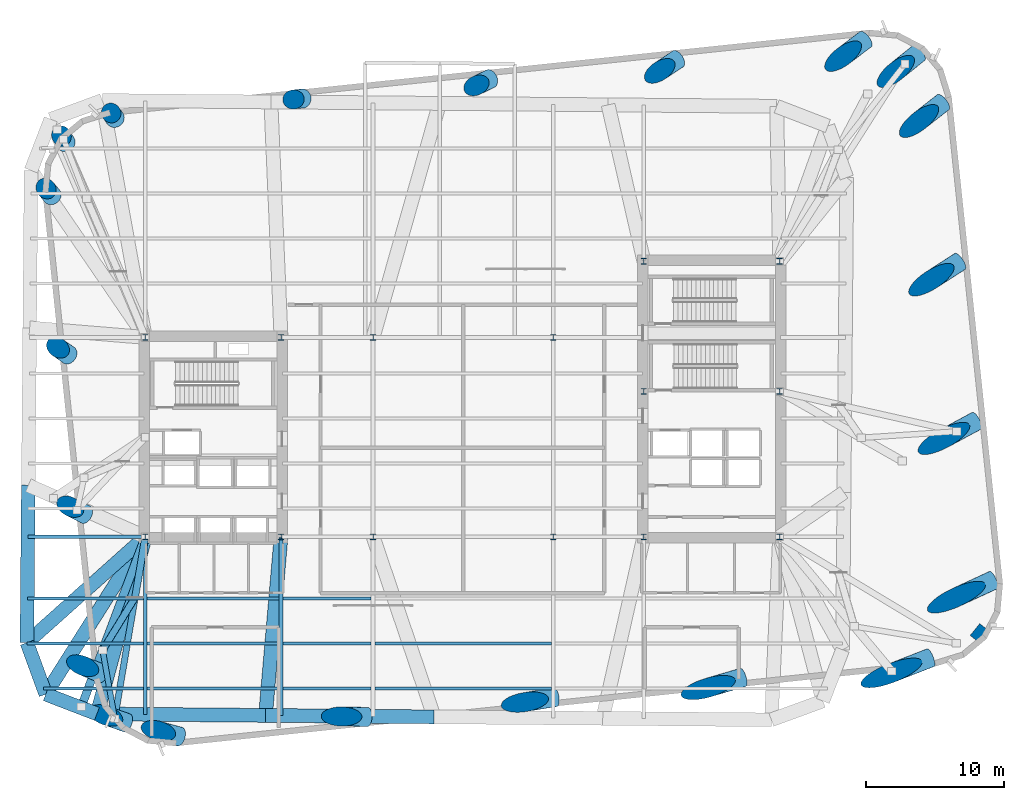
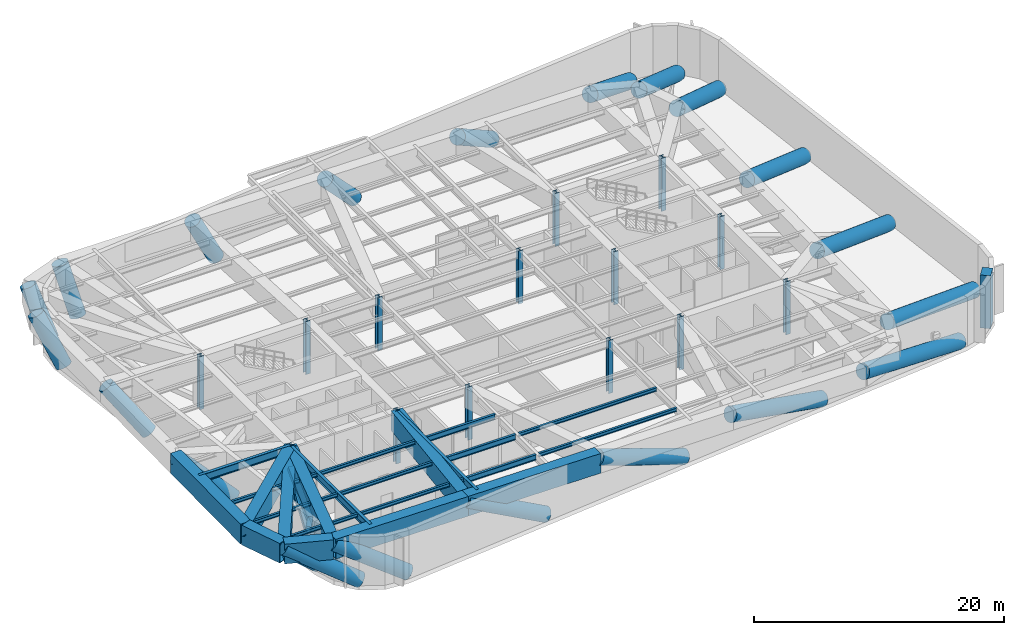
# One storey, part 1 of 15: 36 columns, 23 beams, 5 members.
"""IFC4 building model written with IfcOpenShell, lengths in metres."""

import ifcopenshell
import ifcopenshell.guid

model = None  # the IFC model being written
_history = None  # IfcOwnerHistory: only IFC2X3 demands one
_inside = {}  # id of a spatial element -> (the spatial element, [elements in it])
_under = {}  # id of a project, library or spatial element -> (it, [spatial elements below it])
_declared = {}  # id of a project -> (the project, [libraries it declares])
_typed = {}  # id of a type object -> (the type object, [elements of that type])
_made_of = {}  # id of a material, layer set ... -> (it, [elements and type objects made of it])


def new_model(schema):
    """Start an empty IFC model of exactly this schema.

    Asked for "IFC4X3", IfcOpenShell would pick the latest addendum, in which some entities
    have other attributes; the version numbers below select the first issue.
    IFC2X3 requires an IfcOwnerHistory on every rooted entity: one is made here for all.
    """
    global model, _history
    if schema == "IFC4X3":
        model = ifcopenshell.file(schema_version=(4, 3, 0, 0))
    else:
        model = ifcopenshell.file(schema=schema)
    _inside.clear()
    _under.clear()
    _declared.clear()
    _typed.clear()
    _made_of.clear()
    _history = None
    if model.schema == "IFC2X3":
        org = make("IfcOrganization", Name="unknown")
        user = make(
            "IfcPersonAndOrganization",
            ThePerson=make("IfcPerson", FamilyName="unknown"),
            TheOrganization=org,
        )
        app = make(
            "IfcApplication",
            ApplicationDeveloper=org,
            Version="unknown",
            ApplicationFullName="unknown",
            ApplicationIdentifier="unknown",
        )
        _history = make(
            "IfcOwnerHistory",
            OwningUser=user,
            OwningApplication=app,
            ChangeAction="ADDED",
            CreationDate=0,
        )
    return model


def make(cls, **values):
    """One entity of the class cls with the attributes given. An attribute that is None is left unset."""
    return model.create_entity(
        cls, **{name: value for name, value in values.items() if value is not None}
    )


def rooted(cls, **values):
    """An entity with a GlobalId (a new one), such as an element, a storey or a relation."""
    return make(cls, GlobalId=ifcopenshell.guid.new(), OwnerHistory=_history, **values)


def si_unit(unit_type, name, prefix=None):
    """IfcSIUnit, for example si_unit("LENGTHUNIT", "METRE", prefix="MILLI")."""
    return make("IfcSIUnit", UnitType=unit_type, Prefix=prefix, Name=name)


def assignment(units):
    """IfcUnitAssignment: the units of a project."""
    return None if units is None else make("IfcUnitAssignment", Units=units)


def point(xyz):
    """IfcCartesianPoint."""
    return None if xyz is None else make("IfcCartesianPoint", Coordinates=xyz)


def direction(xyz):
    """IfcDirection."""
    return None if xyz is None else make("IfcDirection", DirectionRatios=xyz)


def frame(location, z_axis=None, x_axis=None):
    """IfcAxis2Placement3D, a coordinate frame: its origin and axes. An axis left out is left unset."""
    return make(
        "IfcAxis2Placement3D",
        Location=point(location),
        Axis=direction(z_axis),
        RefDirection=direction(x_axis),
    )


def frame_2d(location, x_axis=None):
    """IfcAxis2Placement2D, a coordinate frame in the plane: its origin and x axis."""
    return make(
        "IfcAxis2Placement2D", Location=point(location), RefDirection=direction(x_axis)
    )


def origin():
    """The frame at (0, 0, 0) with its axes left unset."""
    return frame((0.0, 0.0, 0.0))


def origin_2d():
    """The frame at (0, 0) in the plane with its x axis left unset."""
    return frame_2d((0.0, 0.0))


def place(relative_to, where):
    """IfcLocalPlacement: puts the frame where relative to a parent placement (None: the world)."""
    return make(
        "IfcLocalPlacement", PlacementRelTo=relative_to, RelativePlacement=where
    )


def context(
    kind, dimensions, precision=None, world=None, true_north=None, identifier=None
):
    """IfcGeometricRepresentationContext, for example the 3D "Model" context."""
    return make(
        "IfcGeometricRepresentationContext",
        ContextIdentifier=identifier,
        ContextType=kind,
        CoordinateSpaceDimension=dimensions,
        Precision=precision,
        WorldCoordinateSystem=world,
        TrueNorth=true_north,
    )


def subcontext(parent, identifier, kind, view, scale=None):
    """IfcGeometricRepresentationSubContext, for example "Body" below "Model"."""
    return make(
        "IfcGeometricRepresentationSubContext",
        ContextIdentifier=identifier,
        ContextType=kind,
        ParentContext=parent,
        TargetScale=scale,
        TargetView=view,
    )


def project(units=None, contexts=None):
    """IfcProject with its units and contexts."""
    return rooted(
        "IfcProject",
        Name="project",
        RepresentationContexts=contexts,
        UnitsInContext=assignment(units),
    )


def spatial(cls, under=None, at=None, **own):
    """A site, building, storey or space (cls), placed at a placement, below another one or the project."""
    s = rooted(cls, ObjectPlacement=at, **own)
    if under is not None:
        _under.setdefault(under.id(), (under, []))[1].append(s)
    return s


def profile(cls, at=None, kind="AREA", **sizes):
    """A parametric profile (cls). Its sizes go by their IFC names, for example OverallWidth=200.0."""
    return make(cls, ProfileType=kind, Position=at, **sizes)


def rectangle(**sizes):
    """IfcRectangleProfileDef."""
    return profile("IfcRectangleProfileDef", **sizes)


def hollow_rectangle(**sizes):
    """IfcRectangleHollowProfileDef."""
    return profile("IfcRectangleHollowProfileDef", **sizes)


def circle(**sizes):
    """IfcCircleProfileDef."""
    return profile("IfcCircleProfileDef", **sizes)


def hollow_circle(**sizes):
    """IfcCircleHollowProfileDef."""
    return profile("IfcCircleHollowProfileDef", **sizes)


def i_section(**sizes):
    """IfcIShapeProfileDef."""
    return profile("IfcIShapeProfileDef", **sizes)


def extrude(swept, where, along, depth):
    """IfcExtrudedAreaSolid: the profile swept, set in the frame where, extruded along a direction by depth."""
    return make(
        "IfcExtrudedAreaSolid",
        SweptArea=swept,
        Position=where,
        ExtrudedDirection=direction(along),
        Depth=depth,
    )


def shape(context_of_items, identifier, shape_type, items):
    """IfcShapeRepresentation: the items that make up one representation, for example the "Body"."""
    return make(
        "IfcShapeRepresentation",
        ContextOfItems=context_of_items,
        RepresentationIdentifier=identifier,
        RepresentationType=shape_type,
        Items=items,
    )


def material(Name=None, Category=None):
    """IfcMaterial."""
    return make("IfcMaterial", Name=Name, Category=Category)


def material_profile(
    of_material, cross_section, Name=None, Category=None, Priority=None
):
    """IfcMaterialProfile: a cross section and its material."""
    return make(
        "IfcMaterialProfile",
        Name=Name,
        Material=of_material,
        Profile=cross_section,
        Priority=Priority,
        Category=Category,
    )


def profile_set(profiles, Name=None, composite=None):
    """IfcMaterialProfileSet."""
    return make(
        "IfcMaterialProfileSet",
        Name=Name,
        MaterialProfiles=profiles,
        CompositeProfile=composite,
    )


def made_of(thing, what):
    """Note that an element or type object is made of a material, layer set ...; save() writes the relation."""
    if what is not None:
        _made_of.setdefault(what.id(), (what, []))[1].append(thing)
    return thing


def type_object(cls, material=None, **own):
    """A type object (cls), such as IfcWallType, which elements share."""
    return made_of(rooted(cls, **own), material)


def element(
    cls,
    number,
    at=None,
    inside=None,
    cuts=None,
    type_object=None,
    material=None,
    context=None,
    identifier="Body",
    shape_type=None,
    held_by="IfcProductDefinitionShape",
    body=None,
    shapes=None,
    **own,
):
    """One element of the class cls, such as IfcWall. Its Tag is "e" and its number.

    at: its placement. inside: the storey or other place that contains it. cuts: it is an
    opening in that element (IfcRelVoidsElement). A single representation is given by context,
    identifier, shape_type and body (its items); several are given by shapes. held_by: the class
    of the entity that holds the representations. save() writes the other relations.
    """
    e = rooted(cls, Tag="e%d" % number, ObjectPlacement=at, **own)
    if body is not None:
        shapes = [shape(context, identifier, shape_type, body)]
    if shapes is not None:
        e.Representation = make(held_by, Representations=shapes)
    if inside is not None:
        _inside.setdefault(inside.id(), (inside, []))[1].append(e)
    if cuts is not None:
        rooted(
            "IfcRelVoidsElement", RelatingBuildingElement=cuts, RelatedOpeningElement=e
        )
    if type_object is not None:
        _typed.setdefault(type_object.id(), (type_object, []))[1].append(e)
    return made_of(e, material)


def aggregate(whole, parts):
    """IfcRelAggregates: a whole, such as a stair, and the parts it consists of."""
    return rooted("IfcRelAggregates", RelatingObject=whole, RelatedObjects=parts)


def save(model, path):
    """Write the relations noted so far, then the file.

    IfcRelAggregates (storeys below a building ...), IfcRelContainedInSpatialStructure (elements
    in a storey), IfcRelDefinesByType, IfcRelAssociatesMaterial and IfcRelDeclares: one each for
    every whole, place, type object, material and project.
    """
    for whole, parts in _under.values():
        aggregate(whole, parts)
    for where, things in _inside.values():
        rooted(
            "IfcRelContainedInSpatialStructure",
            RelatedElements=things,
            RelatingStructure=where,
        )
    for kind, things in _typed.values():
        rooted("IfcRelDefinesByType", RelatedObjects=things, RelatingType=kind)
    for what, things in _made_of.values():
        rooted("IfcRelAssociatesMaterial", RelatedObjects=things, RelatingMaterial=what)
    for by, libraries in _declared.values():
        rooted("IfcRelDeclares", RelatingContext=by, RelatedDefinitions=libraries)
    model.write(path)


model = new_model("IFC4")

# Units and contexts
model_context = context("Model", 3, precision=1e-05, world=origin(), true_north=direction((0.0, 1.0)))
body_context = subcontext(model_context, "Body", "Model", "MODEL_VIEW")
ifc_project = project(units=[si_unit("LENGTHUNIT", "METRE"), si_unit("AREAUNIT", "SQUARE_METRE"), si_unit("VOLUMEUNIT", "CUBIC_METRE"), si_unit("PLANEANGLEUNIT", "RADIAN"), si_unit("MASSUNIT", "GRAM", prefix="KILO")], contexts=[model_context])

# Site, building, storey
site_placement = place(None, origin())
site = spatial("IfcSite", under=ifc_project, at=site_placement, CompositionType="ELEMENT")
building_placement = place(site_placement, origin())
building = spatial("IfcBuilding", under=site, at=building_placement, Name="Kolvaren Arena Tower", CompositionType="ELEMENT")
storey_placement = place(building_placement, frame((0.0, 0.0, 153.25)))
storey = spatial("IfcBuildingStorey", under=building, at=storey_placement, Name="L36", CompositionType="ELEMENT", Elevation=153.25)

# Columns
ifc_material_1 = material(Name="Precast concrete C70/85", Category="concrete")
ifc_material_profile_1 = material_profile(ifc_material_1, rectangle(XDim=1.10009765625, YDim=0.85009765625, at=origin_2d()), Name="RC-1100x850")
ifc_profile_set_1 = profile_set([ifc_material_profile_1], Name="Precast concrete C70/85")
column_type_1 = type_object("IfcColumnType", Name="EXCOL-Z2", PredefinedType="COLUMN", material=ifc_profile_set_1)
column_1_placement = place(storey_placement, frame((74.790283203125, 12.49267578125, -0.419921875), z_axis=(0.0, 0.0, 1.0), x_axis=(0.62932039105, 0.777145961457, 0.0)))
element("IfcColumn", 1, at=column_1_placement, inside=storey, type_object=column_type_1, Name="Exoskeleton Perimeter Column 06 (L36)", PredefinedType="COLUMN", context=body_context, shape_type="SweptSolid", body=[
    extrude(rectangle(XDim=1.10009765625, YDim=0.85009765625, at=origin_2d()), origin(), (0.0, 0.0, 1.0), 5.169921875),
])
ifc_material_2 = material(Name="Steel ASTM A913 Grade 65", Category="steel")
ifc_material_profile_2 = material_profile(ifc_material_2, i_section(OverallWidth=0.416015625, OverallDepth=0.446044921875, WebThickness=0.0390625, FlangeThickness=0.062744140625, FilletRadius=0.02001953125, at=origin_2d()), Name="W360x509")
ifc_profile_set_2 = profile_set([ifc_material_profile_2], Name="Steel ASTM A913 Grade 65")
column_type_2 = type_object("IfcColumnType", Name="SCOL-Z2", PredefinedType="COLUMN", material=ifc_profile_set_2)
for number, where, z_axis, x_axis, name in (
    (2, (14.550048828125, 19.449951171875, -0.419921875), (0.0, 0.0, 1.0), (1.0, 0.0, 0.0), "Core Boundary Column WC-SW (L36)"),
    (3, (24.35009765625, 19.449951171875, -0.419921875), (0.0, 0.0, 1.0), (1.0, 0.0, 0.0), "Core Boundary Column WC-SE (L36)"),
    (4, (14.550048828125, 33.85009765625, -0.419921875), (0.0, 0.0, 1.0), (1.0, 0.0, 0.0), "Core Boundary Column WC-NW (L36)"),
    (5, (24.35009765625, 33.85009765625, -0.419921875), (0.0, 0.0, 1.0), (1.0, 0.0, 0.0), "Core Boundary Column WC-NE (L36)"),
    (6, (50.550048828125, 19.449951171875, -0.419921875), (0.0, 0.0, 1.0), (1.0, 0.0, 0.0), "Core Boundary Column EC-SW (L36)"),
    (7, (60.35009765625, 19.449951171875, -0.419921875), (0.0, 0.0, 1.0), (1.0, 0.0, 0.0), "Core Boundary Column EC-SE (L36)"),
    (8, (50.550048828125, 29.949951171875, -0.419921875), (0.0, 0.0, 1.0), (1.0, 0.0, 0.0), "Core Boundary Column EC-MW (L36)"),
    (9, (60.35009765625, 29.949951171875, -0.419921875), (0.0, 0.0, 1.0), (1.0, 0.0, 0.0), "Core Boundary Column EC-ME (L36)"),
    (10, (50.550048828125, 39.35009765625, -0.419921875), (0.0, 0.0, 1.0), (1.0, 0.0, 0.0), "Core Boundary Column EC-NW (L36)"),
    (11, (60.35009765625, 39.35009765625, -0.419921875), (0.0, 0.0, 1.0), (1.0, 0.0, 0.0), "Core Boundary Column EC-NE (L36)"),
    (12, (31.0, 19.449951171875, -0.419921875), (0.0, 0.0, 1.0), (1.0, 0.0, 0.0), "Interior Gravity Column TC-SW (L36)"),
    (13, (44.0, 19.449951171875, -0.419921875), (0.0, 0.0, 1.0), (1.0, 0.0, 0.0), "Interior Gravity Column TC-SE (L36)"),
    (14, (31.0, 33.85009765625, -0.419921875), (0.0, 0.0, 1.0), (1.0, 0.0, 0.0), "Interior Gravity Column TC-NW (L36)"),
    (15, (44.0, 33.85009765625, -0.419921875), (0.0, 0.0, 1.0), (1.0, 0.0, 0.0), "Interior Gravity Column TC-NE (L36)"),
):
    element("IfcColumn", number, at=place(storey_placement, frame(where, z_axis=z_axis, x_axis=x_axis)), inside=storey, type_object=column_type_2, Name=name, PredefinedType="COLUMN", context=body_context, shape_type="SweptSolid", body=[
        extrude(i_section(OverallWidth=0.416015625, OverallDepth=0.446044921875, WebThickness=0.0390625, FlangeThickness=0.062744140625, FilletRadius=0.02001953125, at=origin_2d()), origin(), (0.0, 0.0, 1.0), 5.169921875),
    ])
ifc_material_3 = material(Name="Concrete 80 MPa", Category="concrete")
ifc_material_profile_3 = material_profile(ifc_material_3, circle(Radius=0.68994140625, at=origin_2d()), Name="RC-CIRC-1380")
ifc_profile_set_3 = profile_set([ifc_material_profile_3], Name="Concrete 80 MPa")
column_type_3 = type_object("IfcColumnType", Name="TRCOL-C900", PredefinedType="COLUMN", material=ifc_profile_set_3)
column_2_placement = place(storey_placement, frame((17.0458984375, 5.024658203125, 0.172119140625), z_axis=(-0.811678599728, 0.2221129632, 0.540225584661), x_axis=(-0.263942507996, -0.964538414203, 0.0)))
element("IfcColumn", 16, at=column_2_placement, inside=storey, type_object=column_type_3, Name="Cantilever Block Inclined Transfer Column 01 (L36)", PredefinedType="COLUMN", context=body_context, shape_type="SweptSolid", body=[
    extrude(circle(Radius=0.68994140625, at=origin_2d()), origin(), (0.0, 0.0, 1.0), 7.377685546875),
])
column_3_placement = place(storey_placement, frame((30.59619140625, 6.44873046875, 0.206787109375), z_axis=(-0.882823914415, 0.012995186752, 0.469524292512), x_axis=(-0.014718426717, -0.999891678091, 0.0)))
element("IfcColumn", 17, at=column_3_placement, inside=storey, type_object=column_type_3, Name="Cantilever Block Inclined Transfer Column 02 (L36)", PredefinedType="COLUMN", context=body_context, shape_type="SweptSolid", body=[
    extrude(circle(Radius=0.68994140625, at=origin_2d()), origin(), (0.0, 0.0, 1.0), 8.34130859375),
])
column_4_placement = place(storey_placement, frame((44.146728515625, 7.873046875, 0.23779296875), z_axis=(-0.90500253685, -0.147281901162, 0.399097043193), x_axis=(0.160628754411, -0.987014895154, 0.0)))
element("IfcColumn", 18, at=column_4_placement, inside=storey, type_object=column_type_3, Name="Cantilever Block Inclined Transfer Column 03 (L36)", PredefinedType="COLUMN", context=body_context, shape_type="SweptSolid", body=[
    extrude(circle(Radius=0.68994140625, at=origin_2d()), origin(), (0.0, 0.0, 1.0), 9.657470703125),
])
column_5_placement = place(storey_placement, frame((57.697021484375, 9.297119140625, 0.261474609375), z_axis=(-0.902829229736, -0.263523113975, 0.339786624716), x_axis=(0.280193938349, -0.959943413391, 0.0)))
element("IfcColumn", 19, at=column_5_placement, inside=storey, type_object=column_type_3, Name="Cantilever Block Inclined Transfer Column 04 (L36)", PredefinedType="COLUMN", context=body_context, shape_type="SweptSolid", body=[
    extrude(circle(Radius=0.68994140625, at=origin_2d()), origin(), (0.0, 0.0, 1.0), 11.20458984375),
])
column_6_placement = place(storey_placement, frame((71.247314453125, 10.721435546875, 0.2783203125), z_axis=(-0.890866147658, -0.347553061876, 0.292513890502), x_axis=(0.363449897409, -0.931613746181, 0.0)))
element("IfcColumn", 20, at=column_6_placement, inside=storey, type_object=column_type_3, Name="Cantilever Block Inclined Transfer Column 05 (L36)", PredefinedType="COLUMN", context=body_context, shape_type="SweptSolid", body=[
    extrude(circle(Radius=0.68994140625, at=origin_2d()), origin(), (0.0, 0.0, 1.0), 12.899169921875),
])
column_7_placement = place(storey_placement, frame((75.786376953125, 16.326416015625, 0.275634765625), z_axis=(-0.865739794199, -0.400232341727, 0.300514028585), x_axis=(0.419628672219, -0.907695861757, 0.0)))
element("IfcColumn", 21, at=column_7_placement, inside=storey, type_object=column_type_3, Name="Cantilever Block Inclined Transfer Column 07 (L36)", PredefinedType="COLUMN", context=body_context, shape_type="SweptSolid", body=[
    extrude(circle(Radius=0.68994140625, at=origin_2d()), origin(), (0.0, 0.0, 1.0), 12.574462890625),
])
column_8_placement = place(storey_placement, frame((74.577392578125, 27.829833984375, 0.265380859375), z_axis=(-0.830830620605, -0.448452009123, 0.32956224811), x_axis=(0.474987746335, -0.879992409531, 0.0)))
element("IfcColumn", 22, at=column_8_placement, inside=storey, type_object=column_type_3, Name="Cantilever Block Inclined Transfer Column 08 (L36)", PredefinedType="COLUMN", context=body_context, shape_type="SweptSolid", body=[
    extrude(circle(Radius=0.68994140625, at=origin_2d()), origin(), (0.0, 0.0, 1.0), 11.5283203125),
])
column_9_placement = place(storey_placement, frame((73.368408203125, 39.3330078125, 0.252685546875), z_axis=(-0.784303498232, -0.503288809738, 0.362723581606), x_axis=(0.540069267385, -0.841620571532, 0.0)))
element("IfcColumn", 23, at=column_9_placement, inside=storey, type_object=column_type_3, Name="Cantilever Block Inclined Transfer Column 09 (L36)", PredefinedType="COLUMN", context=body_context, shape_type="SweptSolid", body=[
    extrude(circle(Radius=0.68994140625, at=origin_2d()), origin(), (0.0, 0.0, 1.0), 10.54443359375),
])
column_10_placement = place(storey_placement, frame((72.1591796875, 50.83642578125, 0.237548828125), z_axis=(-0.722027044307, -0.564651787227, 0.399806586328), x_axis=(0.616028887624, -0.787723561672, 0.0)))
element("IfcColumn", 24, at=column_10_placement, inside=storey, type_object=column_type_3, Name="Cantilever Block Inclined Transfer Column 10 (L36)", PredefinedType="COLUMN", context=body_context, shape_type="SweptSolid", body=[
    extrude(circle(Radius=0.68994140625, at=origin_2d()), origin(), (0.0, 0.0, 1.0), 9.6416015625),
])
column_11_placement = place(storey_placement, frame((70.387939453125, 54.37939453125, 0.229736328125), z_axis=(-0.70782602546, -0.569189755646, 0.418336395439), x_axis=(0.626659324453, -0.779293328007, 0.0)))
element("IfcColumn", 25, at=column_11_placement, inside=storey, type_object=column_type_3, Name="Cantilever Block Inclined Transfer Column 11 (L36)", PredefinedType="COLUMN", context=body_context, shape_type="SweptSolid", body=[
    extrude(circle(Radius=0.68994140625, at=origin_2d()), origin(), (0.0, 0.0, 1.0), 9.25244140625),
])
column_12_placement = place(storey_placement, frame((66.55419921875, 55.37548828125, 0.22216796875), z_axis=(-0.718551511617, -0.54227205423, 0.435459233861), x_axis=(0.602384984829, -0.798205694074, 0.0)))
element("IfcColumn", 26, at=column_12_placement, inside=storey, type_object=column_type_3, Name="Cantilever Block Inclined Transfer Column 12 (L36)", PredefinedType="COLUMN", context=body_context, shape_type="SweptSolid", body=[
    extrude(circle(Radius=0.68994140625, at=origin_2d()), origin(), (0.0, 0.0, 1.0), 8.92333984375),
])
column_13_placement = place(storey_placement, frame((53.003662109375, 53.951171875, 0.165771484375), z_axis=(-0.696388681651, -0.457495662242, 0.552938082517), x_axis=(0.549067922576, -0.835777731456, 0.0)))
element("IfcColumn", 27, at=column_13_placement, inside=storey, type_object=column_type_3, Name="Cantilever Block Inclined Transfer Column 13 (L36)", PredefinedType="COLUMN", context=body_context, shape_type="SweptSolid", body=[
    extrude(circle(Radius=0.68994140625, at=origin_2d()), origin(), (0.0, 0.0, 1.0), 7.2314453125),
])
column_14_placement = place(storey_placement, frame((39.453369140625, 52.527099609375, 0.068603515625), z_axis=(-0.626464066324, -0.30428970991, 0.717600547691), x_axis=(0.436912284896, -0.899504116337, 0.0)))
element("IfcColumn", 28, at=column_14_placement, inside=storey, type_object=column_type_3, Name="Cantilever Block Inclined Transfer Column 14 (L36)", PredefinedType="COLUMN", context=body_context, shape_type="SweptSolid", body=[
    extrude(circle(Radius=0.68994140625, at=origin_2d()), origin(), (0.0, 0.0, 1.0), 5.842529296875),
])
column_15_placement = place(storey_placement, frame((25.903076171875, 51.102783203125, -0.077880859375), z_axis=(-0.45323157706, -0.04907263655, 0.890041018098), x_axis=(0.107643651715, -0.994189541408, 0.0)))
element("IfcColumn", 29, at=column_15_placement, inside=storey, type_object=column_type_3, Name="Cantilever Block Inclined Transfer Column 15 (L36)", PredefinedType="COLUMN", context=body_context, shape_type="SweptSolid", body=[
    extrude(circle(Radius=0.68994140625, at=origin_2d()), origin(), (0.0, 0.0, 1.0), 5.039794921875),
])
column_16_placement = place(storey_placement, frame((12.3525390625, 49.6787109375, -0.1572265625), z_axis=(-0.185270391626, 0.261648994354, 0.947214170998), x_axis=(-0.816119088508, -0.577883754204, 0.0)))
element("IfcColumn", 30, at=column_16_placement, inside=storey, type_object=column_type_3, Name="Cantilever Block Inclined Transfer Column 16 (L36)", PredefinedType="COLUMN", context=body_context, shape_type="SweptSolid", body=[
    extrude(circle(Radius=0.68994140625, at=origin_2d()), origin(), (0.0, 0.0, 1.0), 4.9033203125),
])
column_17_placement = place(storey_placement, frame((8.8095703125, 47.9072265625, -0.107666015625), z_axis=(-0.218493056896, 0.341073113091, 0.914292029723), x_axis=(-0.842040119954, -0.539414901897, 0.0)))
element("IfcColumn", 31, at=column_17_placement, inside=storey, type_object=column_type_3, Name="Cantilever Block Inclined Transfer Column 17 (L36)", PredefinedType="COLUMN", context=body_context, shape_type="SweptSolid", body=[
    extrude(circle(Radius=0.68994140625, at=origin_2d()), origin(), (0.0, 0.0, 1.0), 4.97119140625),
])
column_18_placement = place(storey_placement, frame((7.813720703125, 44.073486328125, -0.06982421875), z_axis=(-0.299042142096, 0.362023764024, 0.882900102805), x_axis=(-0.77098367631, -0.636854905661, 0.0)))
element("IfcColumn", 32, at=column_18_placement, inside=storey, type_object=column_type_3, Name="Cantilever Block Inclined Transfer Column 18 (L36)", PredefinedType="COLUMN", context=body_context, shape_type="SweptSolid", body=[
    extrude(circle(Radius=0.68994140625, at=origin_2d()), origin(), (0.0, 0.0, 1.0), 5.0625),
])
column_19_placement = place(storey_placement, frame((9.022705078125, 32.5703125, 0.0244140625), z_axis=(-0.513751396896, 0.35859038586, 0.779405181761), x_axis=(-0.572352471816, -0.820007712162, 0.0)))
element("IfcColumn", 33, at=column_19_placement, inside=storey, type_object=column_type_3, Name="Cantilever Block Inclined Transfer Column 19 (L36)", PredefinedType="COLUMN", context=body_context, shape_type="SweptSolid", body=[
    extrude(circle(Radius=0.68994140625, at=origin_2d()), origin(), (0.0, 0.0, 1.0), 5.492919921875),
])
column_20_placement = place(storey_placement, frame((10.231689453125, 21.06689453125, 0.102783203125), z_axis=(-0.665554906468, 0.339524670025, 0.664650031912), x_axis=(-0.454423444628, -0.890785795224, 0.0)))
element("IfcColumn", 34, at=column_20_placement, inside=storey, type_object=column_type_3, Name="Cantilever Block Inclined Transfer Column 20 (L36)", PredefinedType="COLUMN", context=body_context, shape_type="SweptSolid", body=[
    extrude(circle(Radius=0.68994140625, at=origin_2d()), origin(), (0.0, 0.0, 1.0), 6.20556640625),
])
column_21_placement = place(storey_placement, frame((11.44091796875, 9.5634765625, 0.160400390625), z_axis=(-0.763897252344, 0.315201487792, 0.563124329039), x_axis=(-0.381427997063, -0.924398552063, 0.0)))
element("IfcColumn", 35, at=column_21_placement, inside=storey, type_object=column_type_3, Name="Cantilever Block Inclined Transfer Column 21 (L36)", PredefinedType="COLUMN", context=body_context, shape_type="SweptSolid", body=[
    extrude(circle(Radius=0.68994140625, at=origin_2d()), origin(), (0.0, 0.0, 1.0), 7.11962890625),
])
column_22_placement = place(storey_placement, frame((13.212158203125, 6.0205078125, 0.172119140625), z_axis=(-0.793355795924, 0.28018707572, 0.540445911886), x_axis=(-0.333009447502, -0.942923489937, 0.0)))
element("IfcColumn", 36, at=column_22_placement, inside=storey, type_object=column_type_3, Name="Cantilever Block Inclined Transfer Column 22 (L36)", PredefinedType="COLUMN", context=body_context, shape_type="SweptSolid", body=[
    extrude(circle(Radius=0.68994140625, at=origin_2d()), origin(), (0.0, 0.0, 1.0), 7.375),
])

# Beams
ifc_material_4 = material(Name="Steel CSA G40.21 350W", Category="steel")
ifc_material_profile_4 = material_profile(ifc_material_4, i_section(OverallWidth=0.2119140625, OverallDepth=0.54296875, WebThickness=0.01318359375, FlangeThickness=0.0244140625, FilletRadius=0.013916015625, at=origin_2d()), Name="W530x150")
ifc_profile_set_4 = profile_set([ifc_material_profile_4], Name="Steel CSA G40.21 350W")
beam_type_1 = type_object("IfcBeamType", Name="BEAM-F1", PredefinedType="BEAM", material=ifc_profile_set_4)
for number, where, z_axis, x_axis, name in (
    (37, (24.485107421875, 8.5, 4.478515625), (1.0, 0.0, 0.0), (0.0, 1.0, 0.0), "Composite Floor Beam (L36)"),
    (38, (24.485107421875, 11.75, 4.478515625), (1.0, 0.0, 0.0), (0.0, 1.0, 0.0), "Composite Floor Beam (L36)"),
    (39, (24.485107421875, 15.0, 4.478515625), (1.0, 0.0, 0.0), (0.0, 1.0, 0.0), "Composite Floor Beam (L36)"),
):
    element("IfcBeam", number, at=place(storey_placement, frame(where, z_axis=z_axis, x_axis=x_axis)), inside=storey, type_object=beam_type_1, Name=name, PredefinedType="BEAM", context=body_context, shape_type="SweptSolid", body=[
        extrude(i_section(OverallWidth=0.2119140625, OverallDepth=0.54296875, WebThickness=0.01318359375, FlangeThickness=0.0244140625, FilletRadius=0.013916015625, at=origin_2d()), origin(), (0.0, 0.0, 1.0), 6.3798828125),
    ])

# Members
ifc_material_5 = material(Name="Steel CSA G40.21 350WT", Category="steel")
ifc_material_profile_5 = material_profile(ifc_material_5, hollow_rectangle(XDim=0.449951171875, YDim=0.449951171875, WallThickness=0.02001953125, at=origin_2d()), Name="HSS 450x450x20")
ifc_profile_set_5 = profile_set([ifc_material_profile_5], Name="Steel CSA G40.21 350WT")
member_type_1 = type_object("IfcMemberType", Name="BELT-CHORD", PredefinedType="CHORD", material=ifc_profile_set_5)
member_1_placement = place(storey_placement, frame((14.550048828125, 19.449951171875, 0.35009765625), z_axis=(-0.166029237433, -0.986120830486, 0.0), x_axis=(0.986120830486, -0.166029237433, 0.0)))
element("IfcMember", 40, at=member_1_placement, inside=storey, type_object=member_type_1, Name="Belt Truss Bottom Chord 1 (L36)", PredefinedType="CHORD", context=body_context, shape_type="SweptSolid", body=[
    extrude(hollow_rectangle(XDim=0.449951171875, YDim=0.449951171875, WallThickness=0.02001953125, at=origin_2d()), origin(), (0.0, 0.0, 1.0), 13.30615234375),
])
ifc_material_profile_6 = material_profile(ifc_material_5, hollow_rectangle(XDim=0.39990234375, YDim=0.39990234375, WallThickness=0.01611328125, at=origin_2d()), Name="HSS 400x400x16")
ifc_profile_set_6 = profile_set([ifc_material_profile_6], Name="Steel CSA G40.21 350WT")
member_type_2 = type_object("IfcMemberType", Name="BELT-DIAG", PredefinedType="BRACE", material=ifc_profile_set_6)
member_2_placement = place(storey_placement, frame((11.47021484375, 11.269775390625, 2.47998046875), z_axis=(0.159718984761, -0.906537367237, -0.390742687341), x_axis=(0.984831525808, 0.173513301434, 0.0)))
element("IfcMember", 41, at=member_2_placement, inside=storey, type_object=member_type_2, Name="Belt Truss Warren Diagonal C 1 (L36)", PredefinedType="BRACE", context=body_context, shape_type="SweptSolid", body=[
    extrude(hollow_rectangle(XDim=0.39990234375, YDim=0.39990234375, WallThickness=0.01611328125, at=origin_2d()), origin(), (0.0, 0.0, 1.0), 5.450927734375),
])
ifc_material_profile_7 = material_profile(ifc_material_5, hollow_circle(Radius=0.25390625, WallThickness=0.02490234375, at=origin_2d()), Name="CHS 508x25")
ifc_profile_set_7 = profile_set([ifc_material_profile_7], Name="Steel CSA G40.21 350WT")
member_type_3 = type_object("IfcMemberType", Name="EXO-BRACE1", PredefinedType="BRACE", material=ifc_profile_set_7)
member_3_placement = place(storey_placement, frame((13.813720703125, 15.076171875, 0.35009765625), z_axis=(-0.473294784243, -0.768740387659, 0.430151442623), x_axis=(0.85154765546, -0.524277207669, 0.0)))
element("IfcMember", 42, at=member_3_placement, inside=storey, type_object=member_type_3, Name="Outrigger Warren Diagonal B 1 (L36)", PredefinedType="BRACE", context=body_context, shape_type="SweptSolid", body=[
    extrude(hollow_circle(Radius=0.25390625, WallThickness=0.02490234375, at=origin_2d()), origin(), (0.0, 0.0, 1.0), 4.951416015625),
])

# Beams
ifc_material_profile_8 = material_profile(ifc_material_4, i_section(OverallWidth=0.27001953125, OverallDepth=0.77294921875, WebThickness=0.019287109375, FlangeThickness=0.033447265625, FilletRadius=0.01806640625, at=origin_2d()), Name="W760x257")
ifc_profile_set_8 = profile_set([ifc_material_profile_8], Name="Steel CSA G40.21 350W")
beam_type_2 = type_object("IfcBeamType", Name="GIRD-T1", PredefinedType="BEAM", material=ifc_profile_set_8)
beam_1_placement = place(storey_placement, frame((6.069091796875, 19.449951171875, 4.363525390625), z_axis=(1.0, 0.0, 0.0), x_axis=(0.0, 1.0, 0.0)))
element("IfcBeam", 43, at=beam_1_placement, inside=storey, type_object=beam_type_2, Name="Primary Floor Girder (L36)", PredefinedType="BEAM", context=body_context, shape_type="SweptSolid", body=[
    extrude(i_section(OverallWidth=0.27001953125, OverallDepth=0.77294921875, WebThickness=0.019287109375, FlangeThickness=0.033447265625, FilletRadius=0.01806640625, at=origin_2d()), origin(), (0.0, 0.0, 1.0), 8.426025390625),
])
beam_2_placement = place(storey_placement, frame((14.550048828125, 6.6328125, 4.363525390625), z_axis=(0.0, 1.0, 0.0), x_axis=(-1.0, 0.0, 0.0)))
element("IfcBeam", 44, at=beam_2_placement, inside=storey, type_object=beam_type_2, Name="Primary Floor Girder (L36)", PredefinedType="BEAM", context=body_context, shape_type="SweptSolid", body=[
    extrude(i_section(OverallWidth=0.27001953125, OverallDepth=0.77294921875, WebThickness=0.019287109375, FlangeThickness=0.033447265625, FilletRadius=0.01806640625, at=origin_2d()), origin(), (0.0, 0.0, 1.0), 12.76220703125),
])
beam_3_placement = place(storey_placement, frame((24.35009765625, 6.54736328125, 4.363525390625), z_axis=(0.0, 1.0, 0.0), x_axis=(-1.0, 0.0, 0.0)))
element("IfcBeam", 45, at=beam_3_placement, inside=storey, type_object=beam_type_2, Name="Primary Floor Girder (L36)", PredefinedType="BEAM", context=body_context, shape_type="SweptSolid", body=[
    extrude(i_section(OverallWidth=0.27001953125, OverallDepth=0.77294921875, WebThickness=0.019287109375, FlangeThickness=0.033447265625, FilletRadius=0.01806640625, at=origin_2d()), origin(), (0.0, 0.0, 1.0), 12.84765625),
])
ifc_material_profile_9 = material_profile(ifc_material_4, i_section(OverallWidth=0.202880859375, OverallDepth=0.346923828125, WebThickness=0.0078125, FlangeThickness=0.013427734375, FilletRadius=0.010986328125, at=origin_2d()), Name="W360x64")
ifc_profile_set_9 = profile_set([ifc_material_profile_9], Name="Steel CSA G40.21 350W")
beam_type_3 = type_object("IfcBeamType", Name="JOIST-01", PredefinedType="JOIST", material=ifc_profile_set_9)
beam_4_placement = place(storey_placement, frame((7.210205078125, 8.5, 4.576416015625), z_axis=(1.0, 0.0, 0.0), x_axis=(0.0, 1.0, 0.0)))
element("IfcBeam", 46, at=beam_4_placement, inside=storey, type_object=beam_type_3, Name="Composite Floor Joist (L36)", PredefinedType="JOIST", context=body_context, shape_type="SweptSolid", body=[
    extrude(i_section(OverallWidth=0.202880859375, OverallDepth=0.346923828125, WebThickness=0.0078125, FlangeThickness=0.013427734375, FilletRadius=0.010986328125, at=origin_2d()), origin(), (0.0, 0.0, 1.0), 7.204833984375),
])
beam_5_placement = place(storey_placement, frame((14.68505859375, 8.5, 4.576416015625), z_axis=(1.0, 0.0, 0.0), x_axis=(0.0, 1.0, 0.0)))
element("IfcBeam", 47, at=beam_5_placement, inside=storey, type_object=beam_type_3, Name="Composite Floor Joist (L36)", PredefinedType="JOIST", context=body_context, shape_type="SweptSolid", body=[
    extrude(i_section(OverallWidth=0.202880859375, OverallDepth=0.346923828125, WebThickness=0.0078125, FlangeThickness=0.013427734375, FilletRadius=0.010986328125, at=origin_2d()), origin(), (0.0, 0.0, 1.0), 9.530029296875),
])
beam_6_placement = place(storey_placement, frame((31.135009765625, 8.5, 4.576416015625), z_axis=(1.0, 0.0, 0.0), x_axis=(0.0, 1.0, 0.0)))
element("IfcBeam", 48, at=beam_6_placement, inside=storey, type_object=beam_type_3, Name="Composite Floor Joist (L36)", PredefinedType="JOIST", context=body_context, shape_type="SweptSolid", body=[
    extrude(i_section(OverallWidth=0.202880859375, OverallDepth=0.346923828125, WebThickness=0.0078125, FlangeThickness=0.013427734375, FilletRadius=0.010986328125, at=origin_2d()), origin(), (0.0, 0.0, 1.0), 12.72998046875),
])
beam_7_placement = place(storey_placement, frame((6.023193359375, 11.75, 4.576416015625), z_axis=(1.0, 0.0, 0.0), x_axis=(0.0, 1.0, 0.0)))
element("IfcBeam", 49, at=beam_7_placement, inside=storey, type_object=beam_type_3, Name="Composite Floor Joist (L36)", PredefinedType="JOIST", context=body_context, shape_type="SweptSolid", body=[
    extrude(i_section(OverallWidth=0.202880859375, OverallDepth=0.346923828125, WebThickness=0.0078125, FlangeThickness=0.013427734375, FilletRadius=0.010986328125, at=origin_2d()), origin(), (0.0, 0.0, 1.0), 8.391845703125),
])
beam_8_placement = place(storey_placement, frame((14.68505859375, 11.75, 4.576416015625), z_axis=(1.0, 0.0, 0.0), x_axis=(0.0, 1.0, 0.0)))
element("IfcBeam", 50, at=beam_8_placement, inside=storey, type_object=beam_type_3, Name="Composite Floor Joist (L36)", PredefinedType="JOIST", context=body_context, shape_type="SweptSolid", body=[
    extrude(i_section(OverallWidth=0.202880859375, OverallDepth=0.346923828125, WebThickness=0.0078125, FlangeThickness=0.013427734375, FilletRadius=0.010986328125, at=origin_2d()), origin(), (0.0, 0.0, 1.0), 9.530029296875),
])
beam_9_placement = place(storey_placement, frame((31.135009765625, 11.75, 4.576416015625), z_axis=(1.0, 0.0, 0.0), x_axis=(0.0, 1.0, 0.0)))
element("IfcBeam", 51, at=beam_9_placement, inside=storey, type_object=beam_type_3, Name="Composite Floor Joist (L36)", PredefinedType="JOIST", context=body_context, shape_type="SweptSolid", body=[
    extrude(i_section(OverallWidth=0.202880859375, OverallDepth=0.346923828125, WebThickness=0.0078125, FlangeThickness=0.013427734375, FilletRadius=0.010986328125, at=origin_2d()), origin(), (0.0, 0.0, 1.0), 12.72998046875),
])
beam_10_placement = place(storey_placement, frame((6.0302734375, 15.0, 4.576416015625), z_axis=(1.0, 0.0, 0.0), x_axis=(0.0, 1.0, 0.0)))
element("IfcBeam", 52, at=beam_10_placement, inside=storey, type_object=beam_type_3, Name="Composite Floor Joist (L36)", PredefinedType="JOIST", context=body_context, shape_type="SweptSolid", body=[
    extrude(i_section(OverallWidth=0.202880859375, OverallDepth=0.346923828125, WebThickness=0.0078125, FlangeThickness=0.013427734375, FilletRadius=0.010986328125, at=origin_2d()), origin(), (0.0, 0.0, 1.0), 8.384765625),
])
beam_11_placement = place(storey_placement, frame((14.68505859375, 15.0, 4.576416015625), z_axis=(1.0, 0.0, 0.0), x_axis=(0.0, 1.0, 0.0)))
element("IfcBeam", 53, at=beam_11_placement, inside=storey, type_object=beam_type_3, Name="Composite Floor Joist (L36)", PredefinedType="JOIST", context=body_context, shape_type="SweptSolid", body=[
    extrude(i_section(OverallWidth=0.202880859375, OverallDepth=0.346923828125, WebThickness=0.0078125, FlangeThickness=0.013427734375, FilletRadius=0.010986328125, at=origin_2d()), origin(), (0.0, 0.0, 1.0), 9.530029296875),
])

# Members
ifc_material_profile_10 = material_profile(ifc_material_5, hollow_rectangle(XDim=0.60009765625, YDim=0.60009765625, WallThickness=0.02490234375, at=origin_2d()), Name="HSS 600x600x25")
ifc_profile_set_10 = profile_set([ifc_material_profile_10], Name="Steel CSA G40.21 350WT")
member_type_4 = type_object("IfcMemberType", Name="OUT-CHORD", PredefinedType="CHORD", material=ifc_profile_set_10)
member_4_placement = place(storey_placement, frame((14.550048828125, 19.449951171875, 2.47998046875), z_axis=(-0.352361801582, -0.93586385804, 0.0), x_axis=(0.93586385804, -0.352361801582, 0.0)))
element("IfcMember", 54, at=member_4_placement, inside=storey, type_object=member_type_4, Name="Outrigger Top Chord 1 (L36)", PredefinedType="CHORD", context=body_context, shape_type="SweptSolid", body=[
    extrude(hollow_rectangle(XDim=0.60009765625, YDim=0.60009765625, WallThickness=0.02490234375, at=origin_2d()), origin(), (0.0, 0.0, 1.0), 13.111083984375),
])
ifc_material_profile_11 = material_profile(ifc_material_5, hollow_rectangle(XDim=0.5, YDim=0.5, WallThickness=0.02197265625, at=origin_2d()), Name="HSS 500x500x22")
ifc_profile_set_11 = profile_set([ifc_material_profile_11], Name="Steel CSA G40.21 350WT")
member_type_5 = type_object("IfcMemberType", Name="OUT-DIAG", PredefinedType="BRACE", material=ifc_profile_set_11)
member_5_placement = place(storey_placement, frame((14.550048828125, 19.449951171875, 2.47998046875), z_axis=(-0.14965361861, -0.88894050975, -0.432884008209), x_axis=(0.986123328648, -0.166014399062, 0.0)))
element("IfcMember", 55, at=member_5_placement, inside=storey, type_object=member_type_5, Name="Outrigger Warren Diagonal A 1 (L36)", PredefinedType="BRACE", context=body_context, shape_type="SweptSolid", body=[
    extrude(hollow_rectangle(XDim=0.5, YDim=0.5, WallThickness=0.02197265625, at=origin_2d()), origin(), (0.0, 0.0, 1.0), 4.920166015625),
])

# Beams
ifc_material_profile_12 = material_profile(ifc_material_5, hollow_rectangle(XDim=1.0, YDim=1.919921875, WallThickness=0.044921875, at=origin_2d()), Name="BOX 1000x1920x45")
ifc_profile_set_12 = profile_set([ifc_material_profile_12], Name="Steel CSA G40.21 350WT")
beam_type_4 = type_object("IfcBeamType", Name="TG-MEGA", PredefinedType="USERDEFINED", material=ifc_profile_set_12)
beam_12_placement = place(storey_placement, frame((11.0576171875, 6.663330078125, 3.7900390625), z_axis=(0.99996195503, -0.008722871848, 0.0), x_axis=(0.008722871848, 0.99996195503, 0.0)))
element("IfcBeam", 56, at=beam_12_placement, inside=storey, type_object=beam_type_4, Name="Perimeter Transfer Ring Girder 01 (L36)", ObjectType="TRANSFER GIRDER", PredefinedType="USERDEFINED", context=body_context, shape_type="SweptSolid", body=[
    extrude(hollow_rectangle(XDim=1.0, YDim=1.919921875, WallThickness=0.044921875, at=origin_2d()), origin(), (0.0, 0.0, 1.0), 12.175048828125),
])
beam_13_placement = place(storey_placement, frame((11.0576171875, 6.663330078125, 3.7900390625), z_axis=(0.26348052031, 0.964664716582, 0.0), x_axis=(-0.964664716582, 0.26348052031, 0.0)))
element("IfcBeam", 57, at=beam_13_placement, inside=storey, type_object=beam_type_4, Name="Cantilever Block Transfer Girder 01 (L36)", ObjectType="TRANSFER GIRDER", PredefinedType="USERDEFINED", context=body_context, shape_type="SweptSolid", body=[
    extrude(hollow_rectangle(XDim=1.0, YDim=1.919921875, WallThickness=0.044921875, at=origin_2d()), origin(), (0.0, 0.0, 1.0), 13.2548828125),
])
beam_14_placement = place(storey_placement, frame((23.232177734375, 6.55712890625, 3.7900390625), z_axis=(0.999961779919, -0.008742922896, 0.0), x_axis=(0.008742922896, 0.999961779919, 0.0)))
element("IfcBeam", 58, at=beam_14_placement, inside=storey, type_object=beam_type_4, Name="Perimeter Transfer Ring Girder 02 (L36)", ObjectType="TRANSFER GIRDER", PredefinedType="USERDEFINED", context=body_context, shape_type="SweptSolid", body=[
    extrude(hollow_rectangle(XDim=1.0, YDim=1.919921875, WallThickness=0.044921875, at=origin_2d()), origin(), (0.0, 0.0, 1.0), 12.175048828125),
])
beam_15_placement = place(storey_placement, frame((23.232177734375, 6.55712890625, 3.7900390625), z_axis=(0.086384576169, 0.996261865676, 0.0), x_axis=(-0.996261865676, 0.086384576169, 0.0)))
element("IfcBeam", 59, at=beam_15_placement, inside=storey, type_object=beam_type_4, Name="Cantilever Block Transfer Girder 02 (L36)", ObjectType="TRANSFER GIRDER", PredefinedType="USERDEFINED", context=body_context, shape_type="SweptSolid", body=[
    extrude(hollow_rectangle(XDim=1.0, YDim=1.919921875, WallThickness=0.044921875, at=origin_2d()), origin(), (0.0, 0.0, 1.0), 12.941162109375),
])
beam_16_placement = place(storey_placement, frame((6.1015625, 23.173828125, 3.7900390625), z_axis=(-0.008741825937, -0.99996178951, 0.0), x_axis=(0.99996178951, -0.008741825937, 0.0)))
element("IfcBeam", 60, at=beam_16_placement, inside=storey, type_object=beam_type_4, Name="Perimeter Transfer Ring Girder 20 (L36)", ObjectType="TRANSFER GIRDER", PredefinedType="USERDEFINED", context=body_context, shape_type="SweptSolid", body=[
    extrude(hollow_rectangle(XDim=1.0, YDim=1.919921875, WallThickness=0.044921875, at=origin_2d()), origin(), (0.0, 0.0, 1.0), 11.36669921875),
])
beam_17_placement = place(storey_placement, frame((6.002197265625, 11.8076171875, 3.7900390625), z_axis=(0.343059102458, -0.939313819882, 0.0), x_axis=(0.939313819882, 0.343059102458, 0.0)))
element("IfcBeam", 61, at=beam_17_placement, inside=storey, type_object=beam_type_4, Name="Perimeter Transfer Ring Girder 21 (L36)", ObjectType="TRANSFER GIRDER", PredefinedType="USERDEFINED", context=body_context, shape_type="SweptSolid", body=[
    extrude(hollow_rectangle(XDim=1.0, YDim=1.919921875, WallThickness=0.044921875, at=origin_2d()), origin(), (0.0, 0.0, 1.0), 3.961181640625),
])
beam_18_placement = place(storey_placement, frame((6.002197265625, 11.8076171875, 3.7900390625), z_axis=(0.745490186356, 0.666516602979, 0.0), x_axis=(-0.666516602979, 0.745490186356, 0.0)))
element("IfcBeam", 62, at=beam_18_placement, inside=storey, type_object=beam_type_4, Name="Cantilever Block Transfer Girder 21 (L36)", ObjectType="TRANSFER GIRDER", PredefinedType="USERDEFINED", context=body_context, shape_type="SweptSolid", body=[
    extrude(hollow_rectangle(XDim=1.0, YDim=1.919921875, WallThickness=0.044921875, at=origin_2d()), origin(), (0.0, 0.0, 1.0), 11.466064453125),
])
beam_19_placement = place(storey_placement, frame((7.361083984375, 8.0869140625, 3.7900390625), z_axis=(0.933189846698, -0.359383792094, 0.0), x_axis=(0.359383792094, 0.933189846698, 0.0)))
element("IfcBeam", 63, at=beam_19_placement, inside=storey, type_object=beam_type_4, Name="Perimeter Transfer Ring Girder 22 (L36)", ObjectType="TRANSFER GIRDER", PredefinedType="USERDEFINED", context=body_context, shape_type="SweptSolid", body=[
    extrude(hollow_rectangle(XDim=1.0, YDim=1.919921875, WallThickness=0.044921875, at=origin_2d()), origin(), (0.0, 0.0, 1.0), 3.961181640625),
])
beam_20_placement = place(storey_placement, frame((7.361083984375, 8.0869140625, 3.7900390625), z_axis=(0.534647269827, 0.845075320233, 0.0), x_axis=(-0.845075320233, 0.534647269827, 0.0)))
element("IfcBeam", 64, at=beam_20_placement, inside=storey, type_object=beam_type_4, Name="Cantilever Block Transfer Girder 22 (L36)", ObjectType="TRANSFER GIRDER", PredefinedType="USERDEFINED", context=body_context, shape_type="SweptSolid", body=[
    extrude(hollow_rectangle(XDim=1.0, YDim=1.919921875, WallThickness=0.044921875, at=origin_2d()), origin(), (0.0, 0.0, 1.0), 13.4462890625),
])

save(model, "model.ifc")
